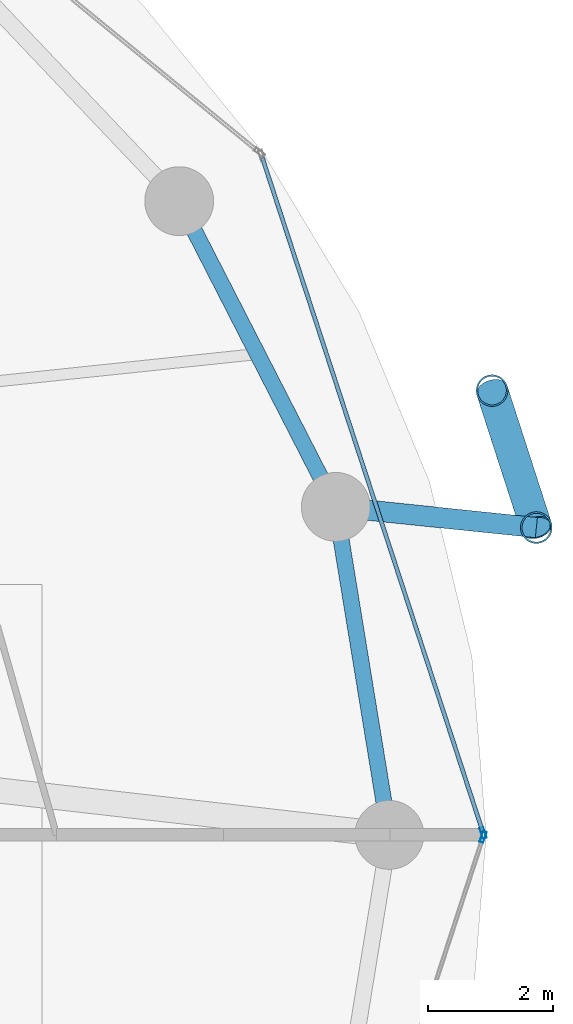
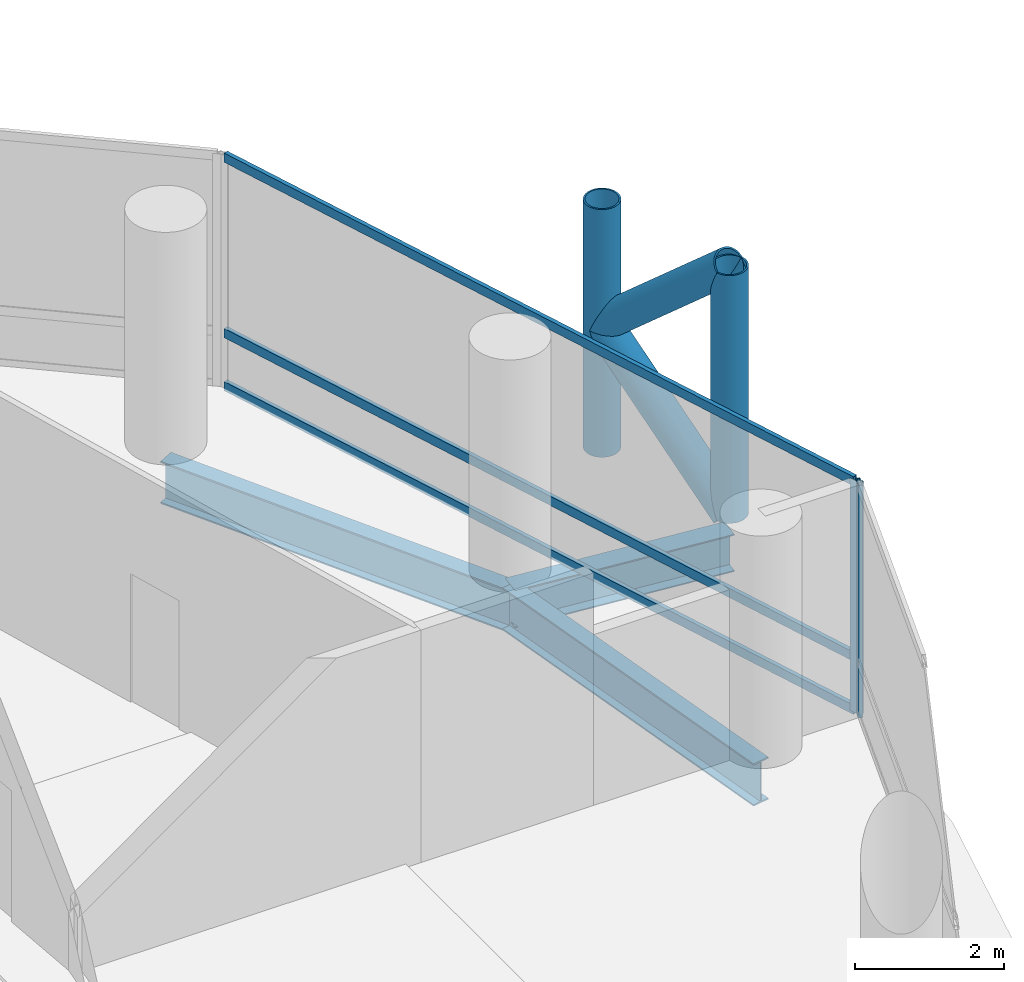
# One storey, part 12 of 24: 9 members, 3 beams, 2 elements without a shape of their own.
"""IFC4 building model written with IfcOpenShell, lengths in metres."""

import ifcopenshell
import ifcopenshell.guid

model = None  # the IFC model being written
_history = None  # IfcOwnerHistory: only IFC2X3 demands one
_inside = {}  # id of a spatial element -> (the spatial element, [elements in it])
_under = {}  # id of a project, library or spatial element -> (it, [spatial elements below it])
_declared = {}  # id of a project -> (the project, [libraries it declares])
_typed = {}  # id of a type object -> (the type object, [elements of that type])
_made_of = {}  # id of a material, layer set ... -> (it, [elements and type objects made of it])


def new_model(schema):
    """Start an empty IFC model of exactly this schema.

    Asked for "IFC4X3", IfcOpenShell would pick the latest addendum, in which some entities
    have other attributes; the version numbers below select the first issue.
    IFC2X3 requires an IfcOwnerHistory on every rooted entity: one is made here for all.
    """
    global model, _history
    if schema == "IFC4X3":
        model = ifcopenshell.file(schema_version=(4, 3, 0, 0))
    else:
        model = ifcopenshell.file(schema=schema)
    _inside.clear()
    _under.clear()
    _declared.clear()
    _typed.clear()
    _made_of.clear()
    _history = None
    if model.schema == "IFC2X3":
        org = make("IfcOrganization", Name="unknown")
        user = make(
            "IfcPersonAndOrganization",
            ThePerson=make("IfcPerson", FamilyName="unknown"),
            TheOrganization=org,
        )
        app = make(
            "IfcApplication",
            ApplicationDeveloper=org,
            Version="unknown",
            ApplicationFullName="unknown",
            ApplicationIdentifier="unknown",
        )
        _history = make(
            "IfcOwnerHistory",
            OwningUser=user,
            OwningApplication=app,
            ChangeAction="ADDED",
            CreationDate=0,
        )
    return model


def make(cls, **values):
    """One entity of the class cls with the attributes given. An attribute that is None is left unset."""
    return model.create_entity(
        cls, **{name: value for name, value in values.items() if value is not None}
    )


def rooted(cls, **values):
    """An entity with a GlobalId (a new one), such as an element, a storey or a relation."""
    return make(cls, GlobalId=ifcopenshell.guid.new(), OwnerHistory=_history, **values)


def si_unit(unit_type, name, prefix=None):
    """IfcSIUnit, for example si_unit("LENGTHUNIT", "METRE", prefix="MILLI")."""
    return make("IfcSIUnit", UnitType=unit_type, Prefix=prefix, Name=name)


def assignment(units):
    """IfcUnitAssignment: the units of a project."""
    return None if units is None else make("IfcUnitAssignment", Units=units)


def point(xyz):
    """IfcCartesianPoint."""
    return None if xyz is None else make("IfcCartesianPoint", Coordinates=xyz)


def direction(xyz):
    """IfcDirection."""
    return None if xyz is None else make("IfcDirection", DirectionRatios=xyz)


def frame(location, z_axis=None, x_axis=None):
    """IfcAxis2Placement3D, a coordinate frame: its origin and axes. An axis left out is left unset."""
    return make(
        "IfcAxis2Placement3D",
        Location=point(location),
        Axis=direction(z_axis),
        RefDirection=direction(x_axis),
    )


def frame_2d(location, x_axis=None):
    """IfcAxis2Placement2D, a coordinate frame in the plane: its origin and x axis."""
    return make(
        "IfcAxis2Placement2D", Location=point(location), RefDirection=direction(x_axis)
    )


def origin():
    """The frame at (0, 0, 0) with its axes left unset."""
    return frame((0.0, 0.0, 0.0))


def origin_2d():
    """The frame at (0, 0) in the plane with its x axis left unset."""
    return frame_2d((0.0, 0.0))


def place(relative_to, where):
    """IfcLocalPlacement: puts the frame where relative to a parent placement (None: the world)."""
    return make(
        "IfcLocalPlacement", PlacementRelTo=relative_to, RelativePlacement=where
    )


def context(
    kind, dimensions, precision=None, world=None, true_north=None, identifier=None
):
    """IfcGeometricRepresentationContext, for example the 3D "Model" context."""
    return make(
        "IfcGeometricRepresentationContext",
        ContextIdentifier=identifier,
        ContextType=kind,
        CoordinateSpaceDimension=dimensions,
        Precision=precision,
        WorldCoordinateSystem=world,
        TrueNorth=true_north,
    )


def subcontext(parent, identifier, kind, view, scale=None):
    """IfcGeometricRepresentationSubContext, for example "Body" below "Model"."""
    return make(
        "IfcGeometricRepresentationSubContext",
        ContextIdentifier=identifier,
        ContextType=kind,
        ParentContext=parent,
        TargetScale=scale,
        TargetView=view,
    )


def project(units=None, contexts=None):
    """IfcProject with its units and contexts."""
    return rooted(
        "IfcProject",
        Name="project",
        RepresentationContexts=contexts,
        UnitsInContext=assignment(units),
    )


def spatial(cls, under=None, at=None, **own):
    """A site, building, storey or space (cls), placed at a placement, below another one or the project."""
    s = rooted(cls, ObjectPlacement=at, **own)
    if under is not None:
        _under.setdefault(under.id(), (under, []))[1].append(s)
    return s


def profile(cls, at=None, kind="AREA", **sizes):
    """A parametric profile (cls). Its sizes go by their IFC names, for example OverallWidth=200.0."""
    return make(cls, ProfileType=kind, Position=at, **sizes)


def hollow_rectangle(**sizes):
    """IfcRectangleHollowProfileDef."""
    return profile("IfcRectangleHollowProfileDef", **sizes)


def hollow_circle(**sizes):
    """IfcCircleHollowProfileDef."""
    return profile("IfcCircleHollowProfileDef", **sizes)


def i_section(**sizes):
    """IfcIShapeProfileDef."""
    return profile("IfcIShapeProfileDef", **sizes)


def extrude(swept, where, along, depth):
    """IfcExtrudedAreaSolid: the profile swept, set in the frame where, extruded along a direction by depth."""
    return make(
        "IfcExtrudedAreaSolid",
        SweptArea=swept,
        Position=where,
        ExtrudedDirection=direction(along),
        Depth=depth,
    )


def shape(context_of_items, identifier, shape_type, items):
    """IfcShapeRepresentation: the items that make up one representation, for example the "Body"."""
    return make(
        "IfcShapeRepresentation",
        ContextOfItems=context_of_items,
        RepresentationIdentifier=identifier,
        RepresentationType=shape_type,
        Items=items,
    )


def material(Name=None, Category=None):
    """IfcMaterial."""
    return make("IfcMaterial", Name=Name, Category=Category)


def layer(
    of_material, thickness, ventilated=None, Name=None, Category=None, Priority=None
):
    """IfcMaterialLayer: one layer of a wall or slab, of a material (None: an air gap)."""
    return make(
        "IfcMaterialLayer",
        Material=of_material,
        LayerThickness=thickness,
        IsVentilated=ventilated,
        Name=Name,
        Category=Category,
        Priority=Priority,
    )


def layer_set(layers, Name=None):
    """IfcMaterialLayerSet."""
    return make("IfcMaterialLayerSet", MaterialLayers=layers, LayerSetName=Name)


def material_profile(
    of_material, cross_section, Name=None, Category=None, Priority=None
):
    """IfcMaterialProfile: a cross section and its material."""
    return make(
        "IfcMaterialProfile",
        Name=Name,
        Material=of_material,
        Profile=cross_section,
        Priority=Priority,
        Category=Category,
    )


def profile_set(profiles, Name=None, composite=None):
    """IfcMaterialProfileSet."""
    return make(
        "IfcMaterialProfileSet",
        Name=Name,
        MaterialProfiles=profiles,
        CompositeProfile=composite,
    )


def made_of(thing, what):
    """Note that an element or type object is made of a material, layer set ...; save() writes the relation."""
    if what is not None:
        _made_of.setdefault(what.id(), (what, []))[1].append(thing)
    return thing


def type_object(cls, material=None, **own):
    """A type object (cls), such as IfcWallType, which elements share."""
    return made_of(rooted(cls, **own), material)


def element(
    cls,
    number,
    at=None,
    inside=None,
    cuts=None,
    type_object=None,
    material=None,
    context=None,
    identifier="Body",
    shape_type=None,
    held_by="IfcProductDefinitionShape",
    body=None,
    shapes=None,
    **own,
):
    """One element of the class cls, such as IfcWall. Its Tag is "e" and its number.

    at: its placement. inside: the storey or other place that contains it. cuts: it is an
    opening in that element (IfcRelVoidsElement). A single representation is given by context,
    identifier, shape_type and body (its items); several are given by shapes. held_by: the class
    of the entity that holds the representations. save() writes the other relations.
    """
    e = rooted(cls, Tag="e%d" % number, ObjectPlacement=at, **own)
    if body is not None:
        shapes = [shape(context, identifier, shape_type, body)]
    if shapes is not None:
        e.Representation = make(held_by, Representations=shapes)
    if inside is not None:
        _inside.setdefault(inside.id(), (inside, []))[1].append(e)
    if cuts is not None:
        rooted(
            "IfcRelVoidsElement", RelatingBuildingElement=cuts, RelatedOpeningElement=e
        )
    if type_object is not None:
        _typed.setdefault(type_object.id(), (type_object, []))[1].append(e)
    return made_of(e, material)


def aggregate(whole, parts):
    """IfcRelAggregates: a whole, such as a stair, and the parts it consists of."""
    return rooted("IfcRelAggregates", RelatingObject=whole, RelatedObjects=parts)


def save(model, path):
    """Write the relations noted so far, then the file.

    IfcRelAggregates (storeys below a building ...), IfcRelContainedInSpatialStructure (elements
    in a storey), IfcRelDefinesByType, IfcRelAssociatesMaterial and IfcRelDeclares: one each for
    every whole, place, type object, material and project.
    """
    for whole, parts in _under.values():
        aggregate(whole, parts)
    for where, things in _inside.values():
        rooted(
            "IfcRelContainedInSpatialStructure",
            RelatedElements=things,
            RelatingStructure=where,
        )
    for kind, things in _typed.values():
        rooted("IfcRelDefinesByType", RelatedObjects=things, RelatingType=kind)
    for what, things in _made_of.values():
        rooted("IfcRelAssociatesMaterial", RelatedObjects=things, RelatingMaterial=what)
    for by, libraries in _declared.values():
        rooted("IfcRelDeclares", RelatingContext=by, RelatedDefinitions=libraries)
    model.write(path)


model = new_model("IFC4")

# Units and contexts
model_context = context("Model", 3, precision=1e-05, world=origin(), true_north=direction((0.0, 1.0)))
body_context = subcontext(model_context, "Body", "Model", "MODEL_VIEW")
ifc_project = project(units=[si_unit("LENGTHUNIT", "METRE"), si_unit("AREAUNIT", "SQUARE_METRE"), si_unit("VOLUMEUNIT", "CUBIC_METRE"), si_unit("PLANEANGLEUNIT", "RADIAN"), si_unit("MASSUNIT", "GRAM", prefix="KILO")], contexts=[model_context])

# Site, building, storey
site_placement = place(None, origin())
site = spatial("IfcSite", under=ifc_project, at=site_placement, CompositionType="ELEMENT")
building_placement = place(site_placement, origin())
building = spatial("IfcBuilding", under=site, at=building_placement, Name="Nuhasar Tower", CompositionType="ELEMENT")
storey_placement = place(building_placement, frame((0.0, 0.0, 69.60009765625)))
storey = spatial("IfcBuildingStorey", under=building, at=storey_placement, Name="L16", CompositionType="ELEMENT", Elevation=69.60009765625)

# Beams
ifc_material_1 = material(Name="Steel S355", Category="steel")
ifc_material_profile_1 = material_profile(ifc_material_1, i_section(OverallWidth=0.256103515625, OverallDepth=0.693115234375, WebThickness=0.014404296875, FlangeThickness=0.023681640625, at=origin_2d()), Name="W27X114")
ifc_profile_set_1 = profile_set([ifc_material_profile_1], Name="Steel S355")
beam_type_1 = type_object("IfcBeamType", Name="BM-RING-W27X114", PredefinedType="SPANDREL", material=ifc_profile_set_1)
beam_1_placement = place(storey_placement, frame((64.050048828125, 26.800048828125, -0.59716796875), z_axis=(-0.160826635486, 0.986982671235, 0.0), x_axis=(-0.986982671235, -0.160826635486, 0.0)))
element("IfcBeam", 1, at=beam_1_placement, inside=storey, type_object=beam_type_1, Name="L16 Perimeter Ring Spandrel 01", PredefinedType="SPANDREL", context=body_context, shape_type="SweptSolid", body=[
    extrude(i_section(OverallWidth=0.256103515625, OverallDepth=0.693115234375, WebThickness=0.014404296875, FlangeThickness=0.023681640625, at=origin_2d()), origin(), (0.0, 0.0, 1.0), 5.31005859375),
])
beam_2_placement = place(storey_placement, frame((63.196044921875, 32.041015625, -0.59716796875), z_axis=(-0.455930023905, 0.890015625314, 0.0), x_axis=(-0.890015625314, -0.455930023905, 0.0)))
element("IfcBeam", 2, at=beam_2_placement, inside=storey, type_object=beam_type_1, Name="L16 Perimeter Ring Spandrel 02", PredefinedType="SPANDREL", context=body_context, shape_type="SweptSolid", body=[
    extrude(i_section(OverallWidth=0.256103515625, OverallDepth=0.693115234375, WebThickness=0.014404296875, FlangeThickness=0.023681640625, at=origin_2d()), origin(), (0.0, 0.0, 1.0), 5.487548828125),
])
ifc_material_profile_2 = material_profile(ifc_material_1, i_section(OverallWidth=0.323974609375, OverallDepth=0.611083984375, WebThickness=0.0126953125, FlangeThickness=0.01904296875, at=origin_2d()), Name="W24X104")
ifc_profile_set_2 = profile_set([ifc_material_profile_2], Name="Steel S355")
beam_type_2 = type_object("IfcBeamType", Name="BM-TIE-W24X104", PredefinedType="BEAM", material=ifc_profile_set_2)
beam_3_placement = place(storey_placement, frame((63.196044921875, 32.041015625, -0.55615234375), z_axis=(0.994703825606, -0.102782777377, 0.0), x_axis=(0.102782777377, 0.994703825606, 0.0)))
element("IfcBeam", 3, at=beam_3_placement, inside=storey, type_object=beam_type_2, Name="L16 Exoskeleton Node Tie Beam 01", PredefinedType="BEAM", context=body_context, shape_type="SweptSolid", body=[
    extrude(i_section(OverallWidth=0.323974609375, OverallDepth=0.611083984375, WebThickness=0.0126953125, FlangeThickness=0.01904296875, at=origin_2d()), origin(), (0.0, 0.0, 1.0), 3.220947265625),
])

# Curtain wall, member
ifc_material_2 = material(Name="Aluminium 6063-T6", Category="aluminium")
ifc_layer = layer(ifc_material_2, 0.199951171875)
ifc_layer_set = layer_set([ifc_layer], Name="Aluminium 6063-T6")
curtain_wall_type = type_object("IfcCurtainWallType", Name="CW-Z1-OFF", PredefinedType="NOTDEFINED", material=ifc_layer_set)
curtain_wall_1_placement = place(storey_placement, origin())
curtain_wall_1 = element("IfcCurtainWall", 4, at=curtain_wall_1_placement, inside=storey, type_object=curtain_wall_type, Name="L16 Unitised Curtain Wall 01", PredefinedType="NOTDEFINED")
ifc_material_profile_3 = material_profile(ifc_material_2, hollow_rectangle(XDim=0.06494140625, YDim=0.179931640625, WallThickness=0.0048828125, at=origin_2d()), Name="CWM-2")
ifc_profile_set_3 = profile_set([ifc_material_profile_3], Name="Aluminium 6063-T6")
member_type_1 = type_object("IfcMemberType", Name="CW-MUL-S2", PredefinedType="MULLION", material=ifc_profile_set_3)
member_1_placement = place(storey_placement, frame((65.5498046875, 26.830810546875, 0.0), z_axis=(0.0, 0.0, 1.0), x_axis=(-0.950467534571, -0.310823849997, 0.0)))
member_1 = element("IfcMember", 5, at=member_1_placement, type_object=member_type_1, Name="CW-Z1 mullion 1", PredefinedType="MULLION", context=body_context, shape_type="SweptSolid", body=[
    extrude(hollow_rectangle(XDim=0.06494140625, YDim=0.179931640625, WallThickness=0.0048828125, at=origin_2d()), origin(), (0.0, 0.0, 1.0), 3.7998046875),
])

curtain_wall_2_placement = place(storey_placement, origin())
curtain_wall_2 = element("IfcCurtainWall", 6, at=curtain_wall_2_placement, inside=storey, type_object=curtain_wall_type, Name="L16 Unitised Curtain Wall 12", PredefinedType="NOTDEFINED")
member_2_placement = place(storey_placement, frame((65.5498046875, 26.76904296875, 0.0), z_axis=(0.0, 0.0, 1.0), x_axis=(-0.950467534571, 0.310823849997, 0.0)))
member_2 = element("IfcMember", 7, at=member_2_placement, type_object=member_type_1, Name="CW-Z1 mullion 2", PredefinedType="MULLION", context=body_context, shape_type="SweptSolid", body=[
    extrude(hollow_rectangle(XDim=0.06494140625, YDim=0.179931640625, WallThickness=0.0048828125, at=origin_2d()), origin(), (0.0, 0.0, 1.0), 3.7998046875),
])
aggregate(curtain_wall_2, [member_2])

# Member
ifc_material_profile_4 = material_profile(ifc_material_2, hollow_rectangle(XDim=0.06494140625, YDim=0.14990234375, WallThickness=0.00439453125, at=origin_2d()), Name="CWT-2")
ifc_profile_set_4 = profile_set([ifc_material_profile_4], Name="Aluminium 6063-T6")
member_type_2 = type_object("IfcMemberType", Name="CW-TRN-S2", PredefinedType="USERDEFINED", material=ifc_profile_set_4)
member_3_placement = place(storey_placement, frame((65.539794921875, 26.86181640625, 0.032470703125), z_axis=(-0.31082506089, 0.950467138581, 0.0), x_axis=(-0.950467138581, -0.31082506089, 0.0)))
member_3 = element("IfcMember", 8, at=member_3_placement, type_object=member_type_2, Name="CW-Z1 transom 1.1", ObjectType="TRANSOM", PredefinedType="USERDEFINED", context=body_context, shape_type="SweptSolid", body=[
    extrude(hollow_rectangle(XDim=0.06494140625, YDim=0.14990234375, WallThickness=0.00439453125, at=origin_2d()), origin(), (0.0, 0.0, 1.0), 11.31689453125),
])

member_4_placement = place(storey_placement, frame((65.539794921875, 26.86181640625, 0.89990234375), z_axis=(-0.31082506089, 0.950467138581, 0.0), x_axis=(-0.950467138581, -0.31082506089, 0.0)))
member_4 = element("IfcMember", 9, at=member_4_placement, type_object=member_type_2, Name="CW-Z1 transom 1.2", ObjectType="TRANSOM", PredefinedType="USERDEFINED", context=body_context, shape_type="SweptSolid", body=[
    extrude(hollow_rectangle(XDim=0.06494140625, YDim=0.14990234375, WallThickness=0.00439453125, at=origin_2d()), origin(), (0.0, 0.0, 1.0), 11.31689453125),
])

member_5_placement = place(storey_placement, frame((65.539794921875, 26.86181640625, 3.767333984375), z_axis=(-0.31082506089, 0.950467138581, 0.0), x_axis=(-0.950467138581, -0.31082506089, 0.0)))
member_5 = element("IfcMember", 10, at=member_5_placement, type_object=member_type_2, Name="CW-Z1 transom 1.3", ObjectType="TRANSOM", PredefinedType="USERDEFINED", context=body_context, shape_type="SweptSolid", body=[
    extrude(hollow_rectangle(XDim=0.06494140625, YDim=0.14990234375, WallThickness=0.00439453125, at=origin_2d()), origin(), (0.0, 0.0, 1.0), 11.31689453125),
])

aggregate(curtain_wall_1, [member_1, member_3, member_4, member_5])

# Members
ifc_material_3 = material(Name="Steel S460", Category="steel")
ifc_material_profile_5 = material_profile(ifc_material_3, hollow_circle(Radius=0.25390625, WallThickness=0.025390625, at=origin_2d()), Name="HSS508X25.4")
ifc_profile_set_5 = profile_set([ifc_material_profile_5], Name="Steel S460")
member_type_3 = type_object("IfcMemberType", Name="EXO-BRONZE-508", PredefinedType="BRACE", material=ifc_profile_set_5)
for number, where, z_axis, x_axis, name in (
    (11, (66.39990234375, 31.7099609375, 0.0), (0.0, 0.0, 1.0), (1.0, 0.0, 0.0), "L16 Exoskeleton Chord Column EC-01A"),
    (12, (65.69189453125, 33.89892578125, 0.0), (0.0, 0.0, 1.0), (1.0, 0.0, 0.0), "L16 Exoskeleton Chord Column EC-01B"),
):
    element("IfcMember", number, at=place(storey_placement, frame(where, z_axis=z_axis, x_axis=x_axis)), inside=storey, type_object=member_type_3, Name=name, PredefinedType="BRACE", context=body_context, shape_type="SweptSolid", body=[
        extrude(hollow_circle(Radius=0.25390625, WallThickness=0.025390625, at=origin_2d()), origin(), (0.0, 0.0, 1.0), 4.0498046875),
    ])
for number, where, z_axis, x_axis, name in (
    (13, (66.39990234375, 31.7099609375, 0.0), (-0.231011836313, 0.714224870475, 0.660693851854), (-0.951468282519, -0.307746823478, 0.0), "L16 Bronze Diagrid Brace W1-01"),
    (14, (65.69189453125, 33.89892578125, 2.02490234375), (0.231011836313, -0.714224870475, 0.660693851854), (0.951468282519, 0.307746823478, 0.0), "L16 Bronze Diagrid Brace W2-01"),
):
    element("IfcMember", number, at=place(storey_placement, frame(where, z_axis=z_axis, x_axis=x_axis)), inside=storey, type_object=member_type_3, Name=name, PredefinedType="BRACE", context=body_context, shape_type="SweptSolid", body=[
        extrude(hollow_circle(Radius=0.25390625, WallThickness=0.025390625, at=origin_2d()), origin(), (0.0, 0.0, 1.0), 3.064697265625),
    ])

save(model, "model.ifc")
